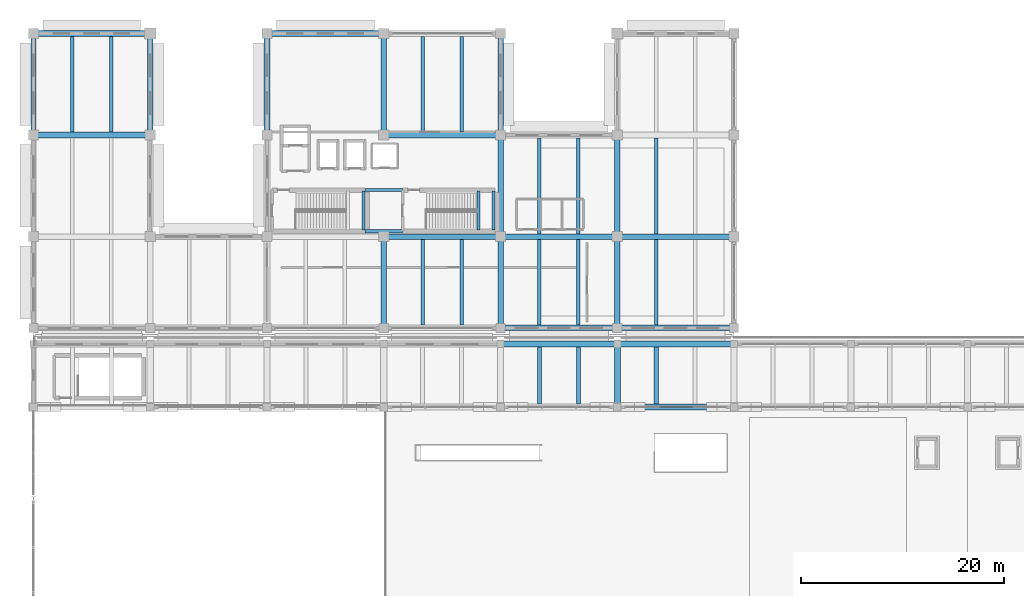
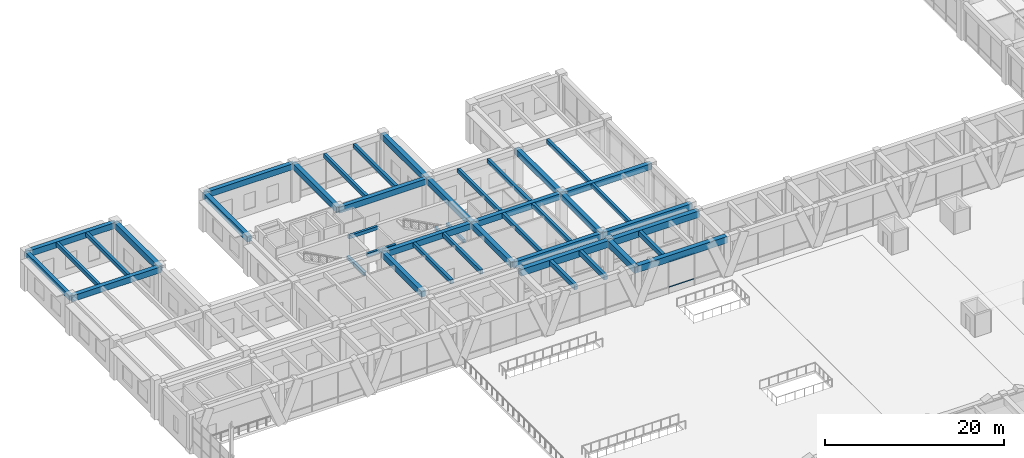
# One storey, part 58 of 148: 43 beams, 2 members, 1 element without a shape of its own.
"""IFC4 building model written with IfcOpenShell, lengths in metres."""

import ifcopenshell
import ifcopenshell.guid

model = None  # the IFC model being written
_history = None  # IfcOwnerHistory: only IFC2X3 demands one
_inside = {}  # id of a spatial element -> (the spatial element, [elements in it])
_under = {}  # id of a project, library or spatial element -> (it, [spatial elements below it])
_declared = {}  # id of a project -> (the project, [libraries it declares])
_typed = {}  # id of a type object -> (the type object, [elements of that type])
_made_of = {}  # id of a material, layer set ... -> (it, [elements and type objects made of it])


def new_model(schema):
    """Start an empty IFC model of exactly this schema.

    Asked for "IFC4X3", IfcOpenShell would pick the latest addendum, in which some entities
    have other attributes; the version numbers below select the first issue.
    IFC2X3 requires an IfcOwnerHistory on every rooted entity: one is made here for all.
    """
    global model, _history
    if schema == "IFC4X3":
        model = ifcopenshell.file(schema_version=(4, 3, 0, 0))
    else:
        model = ifcopenshell.file(schema=schema)
    _inside.clear()
    _under.clear()
    _declared.clear()
    _typed.clear()
    _made_of.clear()
    _history = None
    if model.schema == "IFC2X3":
        org = make("IfcOrganization", Name="unknown")
        user = make(
            "IfcPersonAndOrganization",
            ThePerson=make("IfcPerson", FamilyName="unknown"),
            TheOrganization=org,
        )
        app = make(
            "IfcApplication",
            ApplicationDeveloper=org,
            Version="unknown",
            ApplicationFullName="unknown",
            ApplicationIdentifier="unknown",
        )
        _history = make(
            "IfcOwnerHistory",
            OwningUser=user,
            OwningApplication=app,
            ChangeAction="ADDED",
            CreationDate=0,
        )
    return model


def make(cls, **values):
    """One entity of the class cls with the attributes given. An attribute that is None is left unset."""
    return model.create_entity(
        cls, **{name: value for name, value in values.items() if value is not None}
    )


def rooted(cls, **values):
    """An entity with a GlobalId (a new one), such as an element, a storey or a relation."""
    return make(cls, GlobalId=ifcopenshell.guid.new(), OwnerHistory=_history, **values)


def si_unit(unit_type, name, prefix=None):
    """IfcSIUnit, for example si_unit("LENGTHUNIT", "METRE", prefix="MILLI")."""
    return make("IfcSIUnit", UnitType=unit_type, Prefix=prefix, Name=name)


def assignment(units):
    """IfcUnitAssignment: the units of a project."""
    return None if units is None else make("IfcUnitAssignment", Units=units)


def point(xyz):
    """IfcCartesianPoint."""
    return None if xyz is None else make("IfcCartesianPoint", Coordinates=xyz)


def direction(xyz):
    """IfcDirection."""
    return None if xyz is None else make("IfcDirection", DirectionRatios=xyz)


def frame(location, z_axis=None, x_axis=None):
    """IfcAxis2Placement3D, a coordinate frame: its origin and axes. An axis left out is left unset."""
    return make(
        "IfcAxis2Placement3D",
        Location=point(location),
        Axis=direction(z_axis),
        RefDirection=direction(x_axis),
    )


def frame_2d(location, x_axis=None):
    """IfcAxis2Placement2D, a coordinate frame in the plane: its origin and x axis."""
    return make(
        "IfcAxis2Placement2D", Location=point(location), RefDirection=direction(x_axis)
    )


def origin():
    """The frame at (0, 0, 0) with its axes left unset."""
    return frame((0.0, 0.0, 0.0))


def origin_2d():
    """The frame at (0, 0) in the plane with its x axis left unset."""
    return frame_2d((0.0, 0.0))


def place(relative_to, where):
    """IfcLocalPlacement: puts the frame where relative to a parent placement (None: the world)."""
    return make(
        "IfcLocalPlacement", PlacementRelTo=relative_to, RelativePlacement=where
    )


def context(
    kind, dimensions, precision=None, world=None, true_north=None, identifier=None
):
    """IfcGeometricRepresentationContext, for example the 3D "Model" context."""
    return make(
        "IfcGeometricRepresentationContext",
        ContextIdentifier=identifier,
        ContextType=kind,
        CoordinateSpaceDimension=dimensions,
        Precision=precision,
        WorldCoordinateSystem=world,
        TrueNorth=true_north,
    )


def subcontext(parent, identifier, kind, view, scale=None):
    """IfcGeometricRepresentationSubContext, for example "Body" below "Model"."""
    return make(
        "IfcGeometricRepresentationSubContext",
        ContextIdentifier=identifier,
        ContextType=kind,
        ParentContext=parent,
        TargetScale=scale,
        TargetView=view,
    )


def project(units=None, contexts=None):
    """IfcProject with its units and contexts."""
    return rooted(
        "IfcProject",
        Name="project",
        RepresentationContexts=contexts,
        UnitsInContext=assignment(units),
    )


def spatial(cls, under=None, at=None, **own):
    """A site, building, storey or space (cls), placed at a placement, below another one or the project."""
    s = rooted(cls, ObjectPlacement=at, **own)
    if under is not None:
        _under.setdefault(under.id(), (under, []))[1].append(s)
    return s


def profile(cls, at=None, kind="AREA", **sizes):
    """A parametric profile (cls). Its sizes go by their IFC names, for example OverallWidth=200.0."""
    return make(cls, ProfileType=kind, Position=at, **sizes)


def rectangle(**sizes):
    """IfcRectangleProfileDef."""
    return profile("IfcRectangleProfileDef", **sizes)


def hollow_rectangle(**sizes):
    """IfcRectangleHollowProfileDef."""
    return profile("IfcRectangleHollowProfileDef", **sizes)


def extrude(swept, where, along, depth):
    """IfcExtrudedAreaSolid: the profile swept, set in the frame where, extruded along a direction by depth."""
    return make(
        "IfcExtrudedAreaSolid",
        SweptArea=swept,
        Position=where,
        ExtrudedDirection=direction(along),
        Depth=depth,
    )


def shape(context_of_items, identifier, shape_type, items):
    """IfcShapeRepresentation: the items that make up one representation, for example the "Body"."""
    return make(
        "IfcShapeRepresentation",
        ContextOfItems=context_of_items,
        RepresentationIdentifier=identifier,
        RepresentationType=shape_type,
        Items=items,
    )


def material(Name=None, Category=None):
    """IfcMaterial."""
    return make("IfcMaterial", Name=Name, Category=Category)


def material_profile(
    of_material, cross_section, Name=None, Category=None, Priority=None
):
    """IfcMaterialProfile: a cross section and its material."""
    return make(
        "IfcMaterialProfile",
        Name=Name,
        Material=of_material,
        Profile=cross_section,
        Priority=Priority,
        Category=Category,
    )


def profile_set(profiles, Name=None, composite=None):
    """IfcMaterialProfileSet."""
    return make(
        "IfcMaterialProfileSet",
        Name=Name,
        MaterialProfiles=profiles,
        CompositeProfile=composite,
    )


def made_of(thing, what):
    """Note that an element or type object is made of a material, layer set ...; save() writes the relation."""
    if what is not None:
        _made_of.setdefault(what.id(), (what, []))[1].append(thing)
    return thing


def type_object(cls, material=None, **own):
    """A type object (cls), such as IfcWallType, which elements share."""
    return made_of(rooted(cls, **own), material)


def element(
    cls,
    number,
    at=None,
    inside=None,
    cuts=None,
    type_object=None,
    material=None,
    context=None,
    identifier="Body",
    shape_type=None,
    held_by="IfcProductDefinitionShape",
    body=None,
    shapes=None,
    **own,
):
    """One element of the class cls, such as IfcWall. Its Tag is "e" and its number.

    at: its placement. inside: the storey or other place that contains it. cuts: it is an
    opening in that element (IfcRelVoidsElement). A single representation is given by context,
    identifier, shape_type and body (its items); several are given by shapes. held_by: the class
    of the entity that holds the representations. save() writes the other relations.
    """
    e = rooted(cls, Tag="e%d" % number, ObjectPlacement=at, **own)
    if body is not None:
        shapes = [shape(context, identifier, shape_type, body)]
    if shapes is not None:
        e.Representation = make(held_by, Representations=shapes)
    if inside is not None:
        _inside.setdefault(inside.id(), (inside, []))[1].append(e)
    if cuts is not None:
        rooted(
            "IfcRelVoidsElement", RelatingBuildingElement=cuts, RelatedOpeningElement=e
        )
    if type_object is not None:
        _typed.setdefault(type_object.id(), (type_object, []))[1].append(e)
    return made_of(e, material)


def aggregate(whole, parts):
    """IfcRelAggregates: a whole, such as a stair, and the parts it consists of."""
    return rooted("IfcRelAggregates", RelatingObject=whole, RelatedObjects=parts)


def save(model, path):
    """Write the relations noted so far, then the file.

    IfcRelAggregates (storeys below a building ...), IfcRelContainedInSpatialStructure (elements
    in a storey), IfcRelDefinesByType, IfcRelAssociatesMaterial and IfcRelDeclares: one each for
    every whole, place, type object, material and project.
    """
    for whole, parts in _under.values():
        aggregate(whole, parts)
    for where, things in _inside.values():
        rooted(
            "IfcRelContainedInSpatialStructure",
            RelatedElements=things,
            RelatingStructure=where,
        )
    for kind, things in _typed.values():
        rooted("IfcRelDefinesByType", RelatedObjects=things, RelatingType=kind)
    for what, things in _made_of.values():
        rooted("IfcRelAssociatesMaterial", RelatedObjects=things, RelatingMaterial=what)
    for by, libraries in _declared.values():
        rooted("IfcRelDeclares", RelatingContext=by, RelatedDefinitions=libraries)
    model.write(path)


model = new_model("IFC4")

# Units and contexts
model_context = context("Model", 3, precision=1e-05, world=origin(), true_north=direction((0.0, 1.0)))
body_context = subcontext(model_context, "Body", "Model", "MODEL_VIEW")
ifc_project = project(units=[si_unit("LENGTHUNIT", "METRE"), si_unit("AREAUNIT", "SQUARE_METRE"), si_unit("VOLUMEUNIT", "CUBIC_METRE"), si_unit("PLANEANGLEUNIT", "RADIAN"), si_unit("MASSUNIT", "GRAM", prefix="KILO")], contexts=[model_context])

# Site, building, storey
site_placement = place(None, origin())
site = spatial("IfcSite", under=ifc_project, at=site_placement, CompositionType="ELEMENT")
building_placement = place(site_placement, origin())
building = spatial("IfcBuilding", under=site, at=building_placement, Name="Ologun Quay Terminus", CompositionType="ELEMENT")
storey_placement = place(building_placement, frame((0.0, 0.0, 8.39990234375)))
storey = spatial("IfcBuildingStorey", under=building, at=storey_placement, Name="L02", CompositionType="ELEMENT", Elevation=8.39990234375)

# Curtain wall, members
ifc_material_1 = material(Name="Aluminium 6063-T6", Category="aluminium")
curtain_wall_type = type_object("IfcCurtainWallType", Name="Train Shed North Clerestory Curtain Wall 10700x4850", PredefinedType="USERDEFINED", material=ifc_material_1)
curtain_wall_placement = place(storey_placement, origin())
curtain_wall = element("IfcCurtainWall", 1, at=curtain_wall_placement, inside=storey, type_object=curtain_wall_type, Name="CW-09 Curtain Wall CW-L02-055", ObjectType="UNITISED CURTAIN WALL", PredefinedType="USERDEFINED")
ifc_material_2 = material(Name="Aluminium 6063-T6", Category="aluminium")
ifc_material_profile_1 = material_profile(ifc_material_2, hollow_rectangle(XDim=0.06005859375, YDim=0.1298828125, WallThickness=0.00390625, at=origin_2d()), Name="ALU 130x60x4")
ifc_profile_set_1 = profile_set([ifc_material_profile_1], Name="Aluminium 6063-T6")
member_type = type_object("IfcMemberType", Name="Concourse Clerestory Transom 130x60", PredefinedType="USERDEFINED", material=ifc_profile_set_1)
member_1_placement = place(storey_placement, frame((61.581787109375, 78.0, 0.900146484375), z_axis=(1.0, 0.0, 0.0), x_axis=(0.0, 1.0, 0.0)))
member_1 = element("IfcMember", 2, at=member_1_placement, type_object=member_type, Name="CW-L02-055 Transom B2-1", ObjectType="TRANSOM", PredefinedType="USERDEFINED", context=body_context, shape_type="SweptSolid", body=[
    extrude(hollow_rectangle(XDim=0.06005859375, YDim=0.1298828125, WallThickness=0.00390625, at=origin_2d()), origin(), (0.0, 0.0, 1.0), 3.33642578125),
])
member_2_placement = place(storey_placement, frame((61.581787109375, 78.0, 4.400146484375), z_axis=(1.0, 0.0, 0.0), x_axis=(0.0, 1.0, 0.0)))
member_2 = element("IfcMember", 3, at=member_2_placement, type_object=member_type, Name="CW-L02-055 Transom B2-2", ObjectType="TRANSOM", PredefinedType="USERDEFINED", context=body_context, shape_type="SweptSolid", body=[
    extrude(hollow_rectangle(XDim=0.06005859375, YDim=0.1298828125, WallThickness=0.00390625, at=origin_2d()), origin(), (0.0, 0.0, 1.0), 3.33642578125),
])
aggregate(curtain_wall, [member_1, member_2])

# Beams
ifc_material_3 = material(Name="Concrete C40/50", Category="concrete")
ifc_material_profile_2 = material_profile(ifc_material_3, rectangle(XDim=0.300048828125, YDim=0.449951171875, at=origin_2d()), Name="RC 300x450")
ifc_profile_set_2 = profile_set([ifc_material_profile_2], Name="Concrete C40/50")
beam_type_1 = type_object("IfcBeamType", Name="Core Coupling Lintel Beam 300x450", PredefinedType="LINTEL", material=ifc_profile_set_2)
for number, where, z_axis, x_axis, name in (
    (4, (32.64990234375, 95.324951171875, 4.925048828125), (1.0, 0.0, 0.0), (0.0, 1.0, 0.0), "LN1 Beam 4/H L02"),
    (5, (32.64990234375, 99.375, 4.925048828125), (1.0, 0.0, 0.0), (0.0, 1.0, 0.0), "LN1 Beam 4/H L02"),
):
    element("IfcBeam", number, at=place(storey_placement, frame(where, z_axis=z_axis, x_axis=x_axis)), inside=storey, type_object=beam_type_1, Name=name, PredefinedType="LINTEL", context=body_context, shape_type="SweptSolid", body=[
        extrude(rectangle(XDim=0.300048828125, YDim=0.449951171875, at=origin_2d()), origin(), (0.0, 0.0, 1.0), 3.7001953125),
    ])
for number, where, z_axis, x_axis, name in (
    (6, (32.510009765625, 95.429931640625, 2.295166015625), (0.0, 1.0, 0.0), (-1.0, 0.0, 0.0), "LN1 Half-Landing Ledger Beam ST-W1-E L02"),
    (7, (43.820068359375, 95.429931640625, 2.295166015625), (0.0, 1.0, 0.0), (-1.0, 0.0, 0.0), "LN1 Half-Landing Ledger Beam ST-W2-W L02"),
    (8, (45.31005859375, 95.429931640625, 2.295166015625), (0.0, 1.0, 0.0), (-1.0, 0.0, 0.0), "LN1 Half-Landing Ledger Beam ST-W2-E L02"),
):
    element("IfcBeam", number, at=place(storey_placement, frame(where, z_axis=z_axis, x_axis=x_axis)), inside=storey, type_object=beam_type_1, Name=name, PredefinedType="LINTEL", context=body_context, shape_type="SweptSolid", body=[
        extrude(rectangle(XDim=0.300048828125, YDim=0.449951171875, at=origin_2d()), origin(), (0.0, 0.0, 1.0), 3.840087890625),
    ])
ifc_material_4 = material(Name="Concrete C40/50", Category="concrete")
ifc_material_profile_3 = material_profile(ifc_material_4, rectangle(XDim=0.550048828125, YDim=0.800048828125, at=origin_2d()), Name="RC 550x800")
ifc_profile_set_3 = profile_set([ifc_material_profile_3], Name="Concrete C40/50")
beam_type_2 = type_object("IfcBeamType", Name="Courtyard Wing Primary Girder 550x800", PredefinedType="BEAM", material=ifc_profile_set_3)
for number, where, z_axis, x_axis, name in (
    (9, (46.0, 85.800048828125, 4.75), (1.0, 0.0, 0.0), (0.0, 1.0, 0.0), "B4 Beam 5/G2 L02"),
    (10, (57.5, 85.800048828125, 4.75), (1.0, 0.0, 0.0), (0.0, 1.0, 0.0), "B4 Beam 6/G2 L02"),
    (11, (34.5, 94.800048828125, 4.75), (1.0, 0.0, 0.0), (0.0, 1.0, 0.0), "B4 Beam 4/H L02"),
    (12, (46.0, 94.800048828125, 4.75), (1.0, 0.0, 0.0), (0.0, 1.0, 0.0), "B4 Beam 5/H L02"),
    (13, (57.5, 94.800048828125, 4.75), (1.0, 0.0, 0.0), (0.0, 1.0, 0.0), "B4 Beam 6/H L02"),
    (14, (0.0, 104.800048828125, 4.75), (1.0, 0.0, 0.0), (0.0, 1.0, 0.0), "B4 Beam 1/J L02"),
    (15, (34.5, 104.800048828125, 4.75), (1.0, 0.0, 0.0), (0.0, 1.0, 0.0), "B4 Beam 4/J L02"),
    (16, (0.0, 114.800048828125, 4.75), (1.0, 0.0, 0.0), (0.0, 1.0, 0.0), "B4 Beam 1/K L02"),
    (17, (23.0, 114.800048828125, 4.75), (1.0, 0.0, 0.0), (0.0, 1.0, 0.0), "B4 Beam 3/K L02"),
):
    element("IfcBeam", number, at=place(storey_placement, frame(where, z_axis=z_axis, x_axis=x_axis)), inside=storey, type_object=beam_type_2, Name=name, PredefinedType="BEAM", context=body_context, shape_type="SweptSolid", body=[
        extrude(rectangle(XDim=0.550048828125, YDim=0.800048828125, at=origin_2d()), origin(), (0.0, 0.0, 1.0), 11.5),
    ])
for number, where, z_axis, x_axis, name in (
    (18, (11.5, 104.800048828125, 4.75), (0.0, 1.0, 0.0), (-1.0, 0.0, 0.0), "B4 Beam 2/J L02"),
    (19, (23.0, 104.800048828125, 4.75), (0.0, 1.0, 0.0), (-1.0, 0.0, 0.0), "B4 Beam 3/J L02"),
):
    element("IfcBeam", number, at=place(storey_placement, frame(where, z_axis=z_axis, x_axis=x_axis)), inside=storey, type_object=beam_type_2, Name=name, PredefinedType="BEAM", context=body_context, shape_type="SweptSolid", body=[
        extrude(rectangle(XDim=0.550048828125, YDim=0.800048828125, at=origin_2d()), origin(), (0.0, 0.0, 1.0), 10.0),
    ])
beam_1_placement = place(storey_placement, frame((34.5, 85.800048828125, 4.75), z_axis=(0.0, 1.0, 0.0), x_axis=(-1.0, 0.0, 0.0)))
element("IfcBeam", 20, at=beam_1_placement, inside=storey, type_object=beam_type_2, Name="B4 Beam 4/G2 L02", PredefinedType="BEAM", context=body_context, shape_type="SweptSolid", body=[
    extrude(rectangle(XDim=0.550048828125, YDim=0.800048828125, at=origin_2d()), origin(), (0.0, 0.0, 1.0), 9.0),
])
beam_2_placement = place(storey_placement, frame((34.5, 104.800048828125, 4.75), z_axis=(0.0, 1.0, 0.0), x_axis=(-1.0, 0.0, 0.0)))
element("IfcBeam", 21, at=beam_2_placement, inside=storey, type_object=beam_type_2, Name="B4 Beam 4/J L02", PredefinedType="BEAM", context=body_context, shape_type="SweptSolid", body=[
    extrude(rectangle(XDim=0.550048828125, YDim=0.800048828125, at=origin_2d()), origin(), (0.0, 0.0, 1.0), 10.0),
])
beam_3_placement = place(storey_placement, frame((46.0, 85.800048828125, 4.75), z_axis=(0.0, 1.0, 0.0), x_axis=(-1.0, 0.0, 0.0)))
element("IfcBeam", 22, at=beam_3_placement, inside=storey, type_object=beam_type_2, Name="B4 Beam 5/G2 L02", PredefinedType="BEAM", context=body_context, shape_type="SweptSolid", body=[
    extrude(rectangle(XDim=0.550048828125, YDim=0.800048828125, at=origin_2d()), origin(), (0.0, 0.0, 1.0), 9.0),
])
for number, where, z_axis, x_axis, name in (
    (23, (46.0, 94.800048828125, 4.75), (0.0, 1.0, 0.0), (-1.0, 0.0, 0.0), "B4 Beam 5/H L02"),
    (24, (46.0, 104.800048828125, 4.75), (0.0, 1.0, 0.0), (-1.0, 0.0, 0.0), "B4 Beam 5/J L02"),
):
    element("IfcBeam", number, at=place(storey_placement, frame(where, z_axis=z_axis, x_axis=x_axis)), inside=storey, type_object=beam_type_2, Name=name, PredefinedType="BEAM", context=body_context, shape_type="SweptSolid", body=[
        extrude(rectangle(XDim=0.550048828125, YDim=0.800048828125, at=origin_2d()), origin(), (0.0, 0.0, 1.0), 10.0),
    ])
beam_4_placement = place(storey_placement, frame((57.5, 85.800048828125, 4.75), z_axis=(0.0, 1.0, 0.0), x_axis=(-1.0, 0.0, 0.0)))
element("IfcBeam", 25, at=beam_4_placement, inside=storey, type_object=beam_type_2, Name="B4 Beam 6/G2 L02", PredefinedType="BEAM", context=body_context, shape_type="SweptSolid", body=[
    extrude(rectangle(XDim=0.550048828125, YDim=0.800048828125, at=origin_2d()), origin(), (0.0, 0.0, 1.0), 9.0),
])
beam_5_placement = place(storey_placement, frame((57.5, 94.800048828125, 4.75), z_axis=(0.0, 1.0, 0.0), x_axis=(-1.0, 0.0, 0.0)))
element("IfcBeam", 26, at=beam_5_placement, inside=storey, type_object=beam_type_2, Name="B4 Beam 6/H L02", PredefinedType="BEAM", context=body_context, shape_type="SweptSolid", body=[
    extrude(rectangle(XDim=0.550048828125, YDim=0.800048828125, at=origin_2d()), origin(), (0.0, 0.0, 1.0), 10.0),
])
ifc_material_5 = material(Name="Concrete C40/50", Category="concrete")
ifc_material_profile_4 = material_profile(ifc_material_5, rectangle(XDim=0.35009765625, YDim=0.550048828125, at=origin_2d()), Name="RC 350x550")
ifc_profile_set_4 = profile_set([ifc_material_profile_4], Name="Concrete C40/50")
beam_type_3 = type_object("IfcBeamType", Name="Courtyard Wing Secondary Joist 350x550", PredefinedType="JOIST", material=ifc_profile_set_4)
for number, where, z_axis, x_axis, name in (
    (27, (3.833251953125, 105.074951171875, 4.875), (0.0, 1.0, 0.0), (-1.0, 0.0, 0.0), "J2 Beam 1/J L02"),
    (28, (7.666748046875, 105.074951171875, 4.875), (0.0, 1.0, 0.0), (-1.0, 0.0, 0.0), "J2 Beam 1/J L02"),
):
    element("IfcBeam", number, at=place(storey_placement, frame(where, z_axis=z_axis, x_axis=x_axis)), inside=storey, type_object=beam_type_3, Name=name, PredefinedType="JOIST", context=body_context, shape_type="SweptSolid", body=[
        extrude(rectangle(XDim=0.35009765625, YDim=0.550048828125, at=origin_2d()), origin(), (0.0, 0.0, 1.0), 9.449951171875),
    ])
for number, where, z_axis, x_axis, name in (
    (29, (38.333251953125, 86.074951171875, 4.875), (0.0, 1.0, 0.0), (-1.0, 0.0, 0.0), "J2 Beam 4/G2 L02"),
    (30, (42.166748046875, 86.074951171875, 4.875), (0.0, 1.0, 0.0), (-1.0, 0.0, 0.0), "J2 Beam 4/G2 L02"),
):
    element("IfcBeam", number, at=place(storey_placement, frame(where, z_axis=z_axis, x_axis=x_axis)), inside=storey, type_object=beam_type_3, Name=name, PredefinedType="JOIST", context=body_context, shape_type="SweptSolid", body=[
        extrude(rectangle(XDim=0.35009765625, YDim=0.550048828125, at=origin_2d()), origin(), (0.0, 0.0, 1.0), 8.449951171875),
    ])
for number, where, z_axis, x_axis, name in (
    (31, (38.333251953125, 105.074951171875, 4.875), (0.0, 1.0, 0.0), (-1.0, 0.0, 0.0), "J2 Beam 4/J L02"),
    (32, (42.166748046875, 105.074951171875, 4.875), (0.0, 1.0, 0.0), (-1.0, 0.0, 0.0), "J2 Beam 4/J L02"),
):
    element("IfcBeam", number, at=place(storey_placement, frame(where, z_axis=z_axis, x_axis=x_axis)), inside=storey, type_object=beam_type_3, Name=name, PredefinedType="JOIST", context=body_context, shape_type="SweptSolid", body=[
        extrude(rectangle(XDim=0.35009765625, YDim=0.550048828125, at=origin_2d()), origin(), (0.0, 0.0, 1.0), 9.449951171875),
    ])
for number, where, z_axis, x_axis, name in (
    (33, (49.833251953125, 86.074951171875, 4.875), (0.0, 1.0, 0.0), (-1.0, 0.0, 0.0), "J2 Beam 5/G2 L02"),
    (34, (53.666748046875, 86.074951171875, 4.875), (0.0, 1.0, 0.0), (-1.0, 0.0, 0.0), "J2 Beam 5/G2 L02"),
):
    element("IfcBeam", number, at=place(storey_placement, frame(where, z_axis=z_axis, x_axis=x_axis)), inside=storey, type_object=beam_type_3, Name=name, PredefinedType="JOIST", context=body_context, shape_type="SweptSolid", body=[
        extrude(rectangle(XDim=0.35009765625, YDim=0.550048828125, at=origin_2d()), origin(), (0.0, 0.0, 1.0), 8.449951171875),
    ])
for number, where, z_axis, x_axis, name in (
    (35, (49.833251953125, 95.074951171875, 4.875), (0.0, 1.0, 0.0), (-1.0, 0.0, 0.0), "J2 Beam 5/H L02"),
    (36, (53.666748046875, 95.074951171875, 4.875), (0.0, 1.0, 0.0), (-1.0, 0.0, 0.0), "J2 Beam 5/H L02"),
):
    element("IfcBeam", number, at=place(storey_placement, frame(where, z_axis=z_axis, x_axis=x_axis)), inside=storey, type_object=beam_type_3, Name=name, PredefinedType="JOIST", context=body_context, shape_type="SweptSolid", body=[
        extrude(rectangle(XDim=0.35009765625, YDim=0.550048828125, at=origin_2d()), origin(), (0.0, 0.0, 1.0), 9.449951171875),
    ])
beam_6_placement = place(storey_placement, frame((61.333251953125, 86.074951171875, 4.875), z_axis=(0.0, 1.0, 0.0), x_axis=(-1.0, 0.0, 0.0)))
element("IfcBeam", 37, at=beam_6_placement, inside=storey, type_object=beam_type_3, Name="J2 Beam 6/G2 L02", PredefinedType="JOIST", context=body_context, shape_type="SweptSolid", body=[
    extrude(rectangle(XDim=0.35009765625, YDim=0.550048828125, at=origin_2d()), origin(), (0.0, 0.0, 1.0), 8.449951171875),
])
beam_7_placement = place(storey_placement, frame((61.333251953125, 95.074951171875, 4.875), z_axis=(0.0, 1.0, 0.0), x_axis=(-1.0, 0.0, 0.0)))
element("IfcBeam", 38, at=beam_7_placement, inside=storey, type_object=beam_type_3, Name="J2 Beam 6/H L02", PredefinedType="JOIST", context=body_context, shape_type="SweptSolid", body=[
    extrude(rectangle(XDim=0.35009765625, YDim=0.550048828125, at=origin_2d()), origin(), (0.0, 0.0, 1.0), 9.449951171875),
])
ifc_material_6 = material(Name="Concrete C40/50", Category="concrete")
ifc_material_profile_5 = material_profile(ifc_material_6, rectangle(XDim=0.449951171875, YDim=0.699951171875, at=origin_2d()), Name="RC 450x700")
ifc_profile_set_5 = profile_set([ifc_material_profile_5], Name="Concrete C40/50")
beam_type_4 = type_object("IfcBeamType", Name="Perimeter Spandrel Beam 450x700", PredefinedType="SPANDREL", material=ifc_profile_set_5)
beam_8_placement = place(storey_placement, frame((0.0, 104.800048828125, 4.800048828125), z_axis=(0.0, 1.0, 0.0), x_axis=(-1.0, 0.0, 0.0)))
element("IfcBeam", 39, at=beam_8_placement, inside=storey, type_object=beam_type_4, Name="SP1 Beam 1/J L02", PredefinedType="SPANDREL", context=body_context, shape_type="SweptSolid", body=[
    extrude(rectangle(XDim=0.449951171875, YDim=0.699951171875, at=origin_2d()), origin(), (0.0, 0.0, 1.0), 10.0),
])
ifc_material_7 = material(Name="Concrete C40/50", Category="concrete")
ifc_material_profile_6 = material_profile(ifc_material_7, rectangle(XDim=0.60009765625, YDim=0.89990234375, at=origin_2d()), Name="RC 600x900")
ifc_profile_set_6 = profile_set([ifc_material_profile_6], Name="Concrete C40/50")
beam_type_5 = type_object("IfcBeamType", Name="Station Frame Girder 600x900", PredefinedType="BEAM", material=ifc_profile_set_6)
for number, where, z_axis, x_axis, name in (
    (40, (57.5, 78.0, 4.9501953125), (1.0, 0.0, 0.0), (0.0, 1.0, 0.0), "B3 Beam 6/F L02"),
    (41, (46.0, 84.199951171875, 4.7001953125), (1.0, 0.0, 0.0), (0.0, 1.0, 0.0), "B3 Beam 5/G1 L02"),
    (42, (57.5, 84.199951171875, 4.7001953125), (1.0, 0.0, 0.0), (0.0, 1.0, 0.0), "B3 Beam 6/G1 L02"),
):
    element("IfcBeam", number, at=place(storey_placement, frame(where, z_axis=z_axis, x_axis=x_axis)), inside=storey, type_object=beam_type_5, Name=name, PredefinedType="BEAM", context=body_context, shape_type="SweptSolid", body=[
        extrude(rectangle(XDim=0.60009765625, YDim=0.89990234375, at=origin_2d()), origin(), (0.0, 0.0, 1.0), 11.5),
    ])
beam_9_placement = place(storey_placement, frame((57.5, 78.0, 4.7001953125), z_axis=(0.0, 1.0, 0.0), x_axis=(-1.0, 0.0, 0.0)))
element("IfcBeam", 43, at=beam_9_placement, inside=storey, type_object=beam_type_5, Name="B3 Beam 6/F L02", PredefinedType="BEAM", context=body_context, shape_type="SweptSolid", body=[
    extrude(rectangle(XDim=0.60009765625, YDim=0.89990234375, at=origin_2d()), origin(), (0.0, 0.0, 1.0), 6.199951171875),
])
ifc_material_8 = material(Name="Concrete C40/50", Category="concrete")
ifc_material_profile_7 = material_profile(ifc_material_8, rectangle(XDim=0.39990234375, YDim=0.64990234375, at=origin_2d()), Name="RC 400x650")
ifc_profile_set_7 = profile_set([ifc_material_profile_7], Name="Concrete C40/50")
beam_type_6 = type_object("IfcBeamType", Name="Station Secondary Joist 400x650", PredefinedType="JOIST", material=ifc_profile_set_7)
for number, where, z_axis, x_axis, name in (
    (44, (49.833251953125, 78.300048828125, 4.8251953125), (0.0, 1.0, 0.0), (-1.0, 0.0, 0.0), "J1 Beam 5/F L02"),
    (45, (53.666748046875, 78.300048828125, 4.8251953125), (0.0, 1.0, 0.0), (-1.0, 0.0, 0.0), "J1 Beam 5/F L02"),
    (46, (61.333251953125, 78.300048828125, 4.8251953125), (0.0, 1.0, 0.0), (-1.0, 0.0, 0.0), "J1 Beam 6/F L02"),
):
    element("IfcBeam", number, at=place(storey_placement, frame(where, z_axis=z_axis, x_axis=x_axis)), inside=storey, type_object=beam_type_6, Name=name, PredefinedType="JOIST", context=body_context, shape_type="SweptSolid", body=[
        extrude(rectangle(XDim=0.39990234375, YDim=0.64990234375, at=origin_2d()), origin(), (0.0, 0.0, 1.0), 5.599853515625),
    ])

save(model, "model.ifc")
